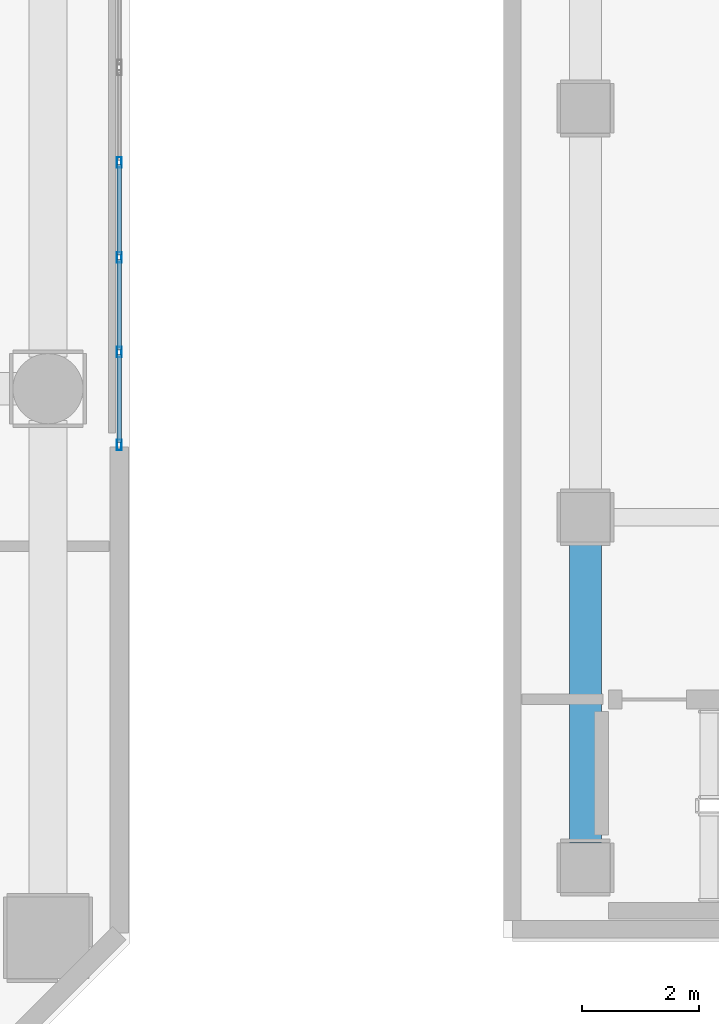
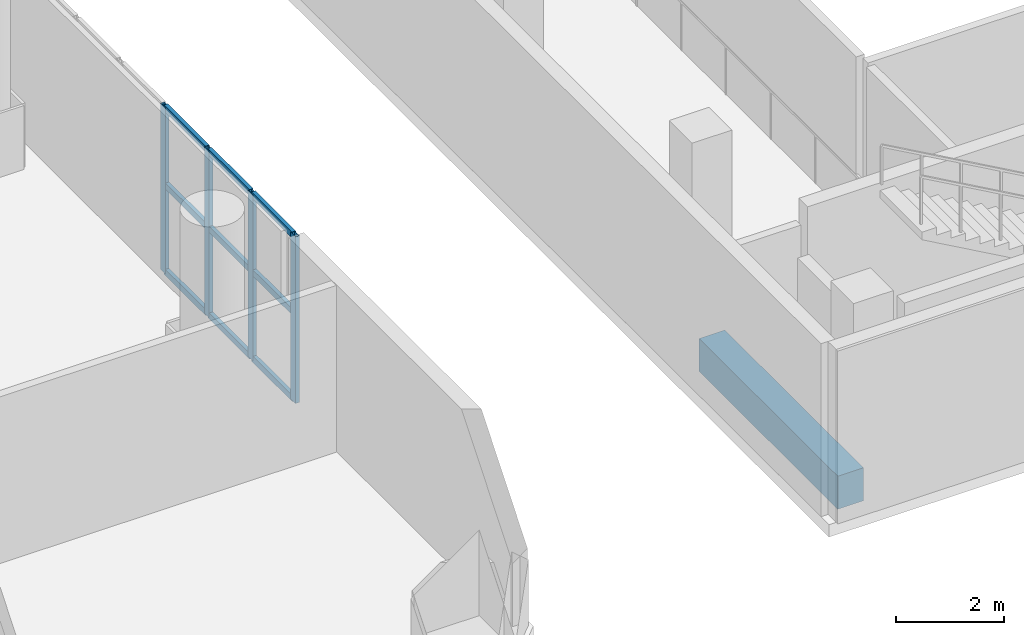
# One storey, part 7 of 22: 13 members, 1 beam, 1 element without a shape of its own.
"""IFC4 building model written with IfcOpenShell, lengths in metres."""

from ifc_helpers import new_model, si_unit, direction, frame, origin, origin_2d, place, context, subcontext, project, spatial, rectangle, hollow_rectangle, extrude, material, layer, layer_set, material_profile, profile_set, type_object, element, aggregate, save


model = new_model("IFC4")

# Units and contexts
model_context = context("Model", 3, precision=1e-05, world=origin(), true_north=direction((0.0, 1.0)))
body_context = subcontext(model_context, "Body", "Model", "MODEL_VIEW")
ifc_project = project(units=[si_unit("LENGTHUNIT", "METRE"), si_unit("AREAUNIT", "SQUARE_METRE"), si_unit("VOLUMEUNIT", "CUBIC_METRE"), si_unit("PLANEANGLEUNIT", "RADIAN"), si_unit("MASSUNIT", "GRAM", prefix="KILO")], contexts=[model_context])

# Site, building, storey
site_placement = place(None, origin())
site = spatial("IfcSite", under=ifc_project, at=site_placement, CompositionType="ELEMENT")
building_placement = place(site_placement, origin())
building = spatial("IfcBuilding", under=site, at=building_placement, Name="Solanera Arch Residences", CompositionType="ELEMENT")
storey_placement = place(building_placement, frame((0.0, 0.0, 13.60009765625)))
storey = spatial("IfcBuildingStorey", under=building, at=storey_placement, Name="L03", CompositionType="ELEMENT", Elevation=13.60009765625)

# Curtain wall, members
ifc_material_1 = material(Name="Anodised Aluminium Alloy 6063-T6", Category="aluminium")
ifc_layer = layer(ifc_material_1, 0.179931640625)
ifc_layer_set = layer_set([ifc_layer], Name="Anodised Aluminium Alloy 6063-T6")
curtain_wall_type = type_object("IfcCurtainWallType", Name="CW-4 Podium Conservatory Curtain Wall", PredefinedType="USERDEFINED", material=ifc_layer_set)
curtain_wall_placement = place(storey_placement, origin())
curtain_wall = element("IfcCurtainWall", 1, at=curtain_wall_placement, inside=storey, type_object=curtain_wall_type, Name="L03 Podium Conservatory Curtain Wall 3", ObjectType="CURTAIN_WALL", PredefinedType="USERDEFINED")
ifc_material_2 = material(Name="Anodised Aluminium Alloy 6063-T6", Category="aluminium")
ifc_material_profile_1 = material_profile(ifc_material_2, hollow_rectangle(XDim=0.080078125, YDim=0.179931640625, WallThickness=0.00390625, at=origin_2d()))
ifc_profile_set_1 = profile_set([ifc_material_profile_1], Name="Anodised Aluminium Alloy 6063-T6")
member_type_1 = type_object("IfcMemberType", Name="Curtain Wall Mullion ALU-MUL-80X180", PredefinedType="MULLION", material=ifc_profile_set_1)
member_1_placement = place(storey_placement, frame((47.820068359375, 25.875, 0.0), z_axis=(0.0, 0.0, 1.0), x_axis=(1.0, 0.0, 0.0)))
member_1 = element("IfcMember", 2, at=member_1_placement, type_object=member_type_1, Name="CW-4 mullion 2", PredefinedType="MULLION", context=body_context, shape_type="SweptSolid", body=[
    extrude(hollow_rectangle(XDim=0.080078125, YDim=0.179931640625, WallThickness=0.00390625, at=origin_2d()), origin(), (0.0, 0.0, 1.0), 3.77978515625),
])
member_2_placement = place(storey_placement, frame((47.820068359375, 24.25, 0.0), z_axis=(0.0, 0.0, 1.0), x_axis=(1.0, 0.0, 0.0)))
member_2 = element("IfcMember", 3, at=member_2_placement, type_object=member_type_1, Name="CW-4 mullion 3", PredefinedType="MULLION", context=body_context, shape_type="SweptSolid", body=[
    extrude(hollow_rectangle(XDim=0.080078125, YDim=0.179931640625, WallThickness=0.00390625, at=origin_2d()), origin(), (0.0, 0.0, 1.0), 3.77978515625),
])
member_3_placement = place(storey_placement, frame((47.820068359375, 22.625, 0.0), z_axis=(0.0, 0.0, 1.0), x_axis=(1.0, 0.0, 0.0)))
member_3 = element("IfcMember", 4, at=member_3_placement, type_object=member_type_1, Name="CW-4 mullion 4", PredefinedType="MULLION", context=body_context, shape_type="SweptSolid", body=[
    extrude(hollow_rectangle(XDim=0.080078125, YDim=0.179931640625, WallThickness=0.00390625, at=origin_2d()), origin(), (0.0, 0.0, 1.0), 3.77978515625),
])
member_4_placement = place(storey_placement, frame((47.820068359375, 21.0400390625, 0.0), z_axis=(0.0, 0.0, 1.0), x_axis=(1.0, 0.0, 0.0)))
member_4 = element("IfcMember", 5, at=member_4_placement, type_object=member_type_1, Name="CW-4 mullion 5", PredefinedType="MULLION", context=body_context, shape_type="SweptSolid", body=[
    extrude(hollow_rectangle(XDim=0.080078125, YDim=0.179931640625, WallThickness=0.00390625, at=origin_2d()), origin(), (0.0, 0.0, 1.0), 3.77978515625),
])
ifc_material_3 = material(Name="Anodised Aluminium Alloy 6063-T6", Category="aluminium")
ifc_material_profile_2 = material_profile(ifc_material_3, hollow_rectangle(XDim=0.080078125, YDim=0.139892578125, WallThickness=0.00390625, at=origin_2d()))
ifc_profile_set_2 = profile_set([ifc_material_profile_2], Name="Anodised Aluminium Alloy 6063-T6")
member_type_2 = type_object("IfcMemberType", Name="Curtain Wall Transom ALU-TRN-80X140", PredefinedType="USERDEFINED", material=ifc_profile_set_2)
member_5_placement = place(storey_placement, frame((47.820068359375, 25.8349609375, 0.039794921875), z_axis=(0.0, -1.0, 0.0), x_axis=(1.0, 0.0, 0.0)))
member_5 = element("IfcMember", 6, at=member_5_placement, type_object=member_type_2, Name="CW-4 transom 2.1", ObjectType="TRANSOM", PredefinedType="USERDEFINED", context=body_context, shape_type="SweptSolid", body=[
    extrude(hollow_rectangle(XDim=0.080078125, YDim=0.139892578125, WallThickness=0.00390625, at=origin_2d()), origin(), (0.0, 0.0, 1.0), 1.544921875),
])
member_6_placement = place(storey_placement, frame((47.820068359375, 25.8349609375, 2.0), z_axis=(0.0, -1.0, 0.0), x_axis=(1.0, 0.0, 0.0)))
member_6 = element("IfcMember", 7, at=member_6_placement, type_object=member_type_2, Name="CW-4 transom 2.2", ObjectType="TRANSOM", PredefinedType="USERDEFINED", context=body_context, shape_type="SweptSolid", body=[
    extrude(hollow_rectangle(XDim=0.080078125, YDim=0.139892578125, WallThickness=0.00390625, at=origin_2d()), origin(), (0.0, 0.0, 1.0), 1.544921875),
])
member_7_placement = place(storey_placement, frame((47.820068359375, 25.8349609375, 3.739990234375), z_axis=(0.0, -1.0, 0.0), x_axis=(1.0, 0.0, 0.0)))
member_7 = element("IfcMember", 8, at=member_7_placement, type_object=member_type_2, Name="CW-4 transom 2.3", ObjectType="TRANSOM", PredefinedType="USERDEFINED", context=body_context, shape_type="SweptSolid", body=[
    extrude(hollow_rectangle(XDim=0.080078125, YDim=0.139892578125, WallThickness=0.00390625, at=origin_2d()), origin(), (0.0, 0.0, 1.0), 1.544921875),
])
member_8_placement = place(storey_placement, frame((47.820068359375, 24.2099609375, 0.039794921875), z_axis=(0.0, -1.0, 0.0), x_axis=(1.0, 0.0, 0.0)))
member_8 = element("IfcMember", 9, at=member_8_placement, type_object=member_type_2, Name="CW-4 transom 3.1", ObjectType="TRANSOM", PredefinedType="USERDEFINED", context=body_context, shape_type="SweptSolid", body=[
    extrude(hollow_rectangle(XDim=0.080078125, YDim=0.139892578125, WallThickness=0.00390625, at=origin_2d()), origin(), (0.0, 0.0, 1.0), 1.544921875),
])
member_9_placement = place(storey_placement, frame((47.820068359375, 24.2099609375, 2.0), z_axis=(0.0, -1.0, 0.0), x_axis=(1.0, 0.0, 0.0)))
member_9 = element("IfcMember", 10, at=member_9_placement, type_object=member_type_2, Name="CW-4 transom 3.2", ObjectType="TRANSOM", PredefinedType="USERDEFINED", context=body_context, shape_type="SweptSolid", body=[
    extrude(hollow_rectangle(XDim=0.080078125, YDim=0.139892578125, WallThickness=0.00390625, at=origin_2d()), origin(), (0.0, 0.0, 1.0), 1.544921875),
])
member_10_placement = place(storey_placement, frame((47.820068359375, 24.2099609375, 3.739990234375), z_axis=(0.0, -1.0, 0.0), x_axis=(1.0, 0.0, 0.0)))
member_10 = element("IfcMember", 11, at=member_10_placement, type_object=member_type_2, Name="CW-4 transom 3.3", ObjectType="TRANSOM", PredefinedType="USERDEFINED", context=body_context, shape_type="SweptSolid", body=[
    extrude(hollow_rectangle(XDim=0.080078125, YDim=0.139892578125, WallThickness=0.00390625, at=origin_2d()), origin(), (0.0, 0.0, 1.0), 1.544921875),
])
member_11_placement = place(storey_placement, frame((47.820068359375, 22.5849609375, 0.039794921875), z_axis=(0.0, -1.0, 0.0), x_axis=(1.0, 0.0, 0.0)))
member_11 = element("IfcMember", 12, at=member_11_placement, type_object=member_type_2, Name="CW-4 transom 4.1", ObjectType="TRANSOM", PredefinedType="USERDEFINED", context=body_context, shape_type="SweptSolid", body=[
    extrude(hollow_rectangle(XDim=0.080078125, YDim=0.139892578125, WallThickness=0.00390625, at=origin_2d()), origin(), (0.0, 0.0, 1.0), 1.5048828125),
])
member_12_placement = place(storey_placement, frame((47.820068359375, 22.5849609375, 2.0), z_axis=(0.0, -1.0, 0.0), x_axis=(1.0, 0.0, 0.0)))
member_12 = element("IfcMember", 13, at=member_12_placement, type_object=member_type_2, Name="CW-4 transom 4.2", ObjectType="TRANSOM", PredefinedType="USERDEFINED", context=body_context, shape_type="SweptSolid", body=[
    extrude(hollow_rectangle(XDim=0.080078125, YDim=0.139892578125, WallThickness=0.00390625, at=origin_2d()), origin(), (0.0, 0.0, 1.0), 1.5048828125),
])
member_13_placement = place(storey_placement, frame((47.820068359375, 22.5849609375, 3.739990234375), z_axis=(0.0, -1.0, 0.0), x_axis=(1.0, 0.0, 0.0)))
member_13 = element("IfcMember", 14, at=member_13_placement, type_object=member_type_2, Name="CW-4 transom 4.3", ObjectType="TRANSOM", PredefinedType="USERDEFINED", context=body_context, shape_type="SweptSolid", body=[
    extrude(hollow_rectangle(XDim=0.080078125, YDim=0.139892578125, WallThickness=0.00390625, at=origin_2d()), origin(), (0.0, 0.0, 1.0), 1.5048828125),
])
aggregate(curtain_wall, [member_1, member_2, member_3, member_4, member_5, member_6, member_7, member_8, member_9, member_10, member_11, member_12, member_13])

# Beam
ifc_material_4 = material(Name="Concrete C40/50 (f'c = 45 MPa)", Category="concrete")
ifc_material_profile_3 = material_profile(ifc_material_4, rectangle(XDim=0.550048828125, YDim=0.75, at=origin_2d()))
ifc_profile_set_3 = profile_set([ifc_material_profile_3], Name="Concrete C40/50 (f'c = 45 MPa)")
beam_type = type_object("IfcBeamType", Name="Primary Beam RC-BM-550X750", PredefinedType="BEAM", material=ifc_profile_set_3)
beam_placement = place(storey_placement, frame((55.800048828125, 14.22509765625, -0.655029296875), z_axis=(0.0, 1.0, 0.0), x_axis=(-1.0, 0.0, 0.0)))
element("IfcBeam", 15, at=beam_placement, inside=storey, type_object=beam_type, Name="BM-L03-HW-1", PredefinedType="BEAM", context=body_context, shape_type="SweptSolid", body=[
    extrude(rectangle(XDim=0.550048828125, YDim=0.75, at=origin_2d()), origin(), (0.0, 0.0, 1.0), 5.14990234375),
])

save(model, "model.ifc")
